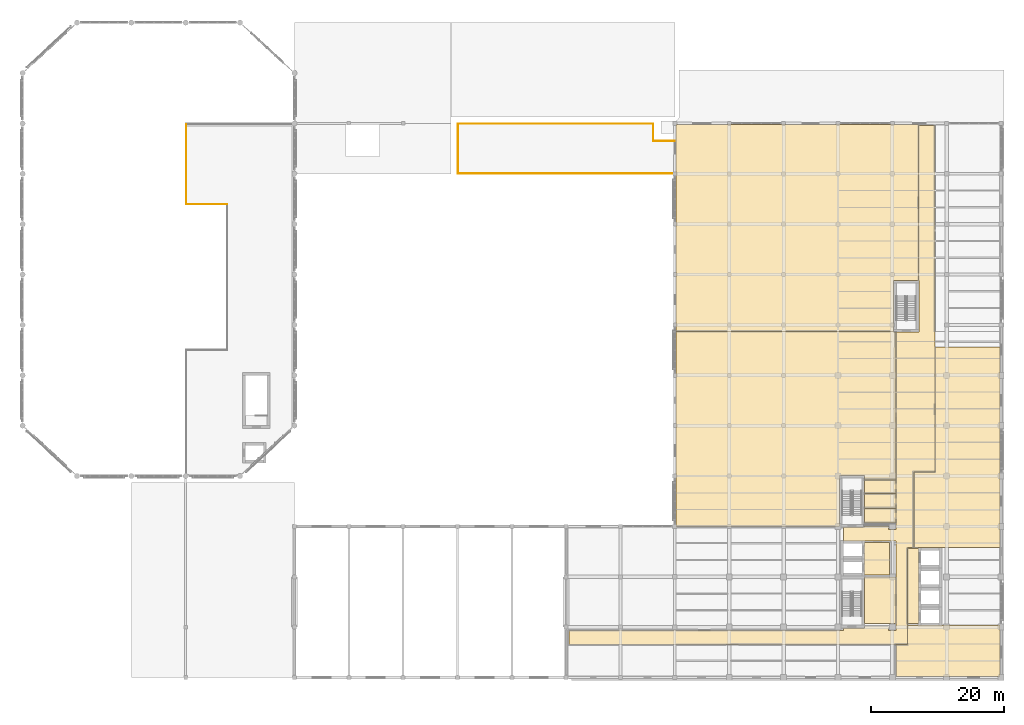
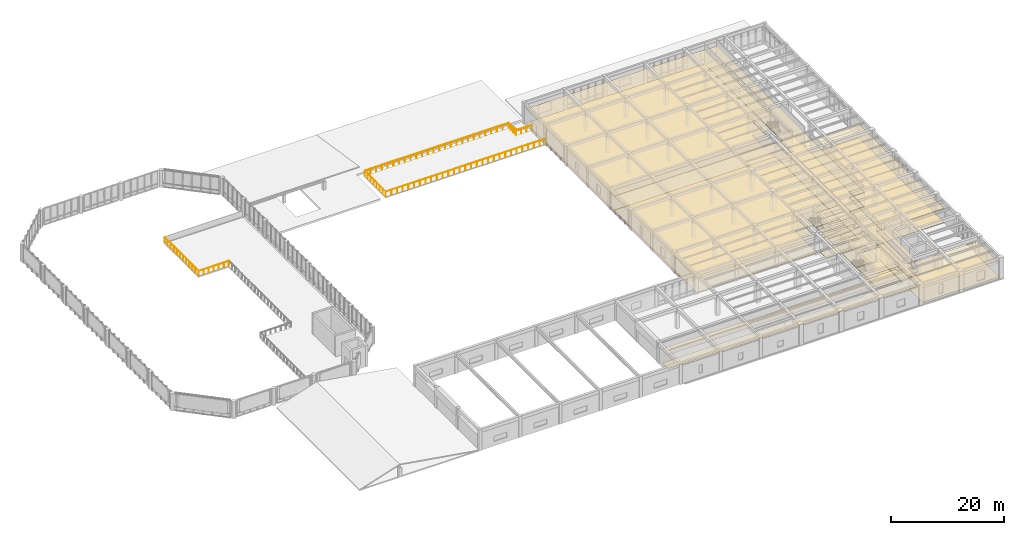
# One storey, part 48 of 49: 22 coverings, 7 railings.
"""IFC4 building model written with IfcOpenShell, lengths in metres."""

from ifc_helpers import new_model, si_unit, direction, frame, origin, origin_2d, place, context, subcontext, project, spatial, polyline, circle, outline, extrude, material, layer, layer_set, type_object, element, save


model = new_model("IFC4")

# Units and contexts
model_context = context("Model", 3, precision=1e-05, world=origin(), true_north=direction((0.0, 1.0)))
body_context = subcontext(model_context, "Body", "Model", "MODEL_VIEW")
ifc_project = project(units=[si_unit("LENGTHUNIT", "METRE"), si_unit("AREAUNIT", "SQUARE_METRE"), si_unit("VOLUMEUNIT", "CUBIC_METRE"), si_unit("PLANEANGLEUNIT", "RADIAN"), si_unit("MASSUNIT", "GRAM", prefix="KILO")], contexts=[model_context])

# Site, building, storey
site_placement = place(None, origin())
site = spatial("IfcSite", under=ifc_project, at=site_placement, CompositionType="ELEMENT")
building_placement = place(site_placement, origin())
building = spatial("IfcBuilding", under=site, at=building_placement, Name="Qandaris Square Conservatory and Botanical Centre", CompositionType="ELEMENT")
storey_placement = place(building_placement, frame((0.0, 0.0, 10.199951171875)))
storey = spatial("IfcBuildingStorey", under=building, at=storey_placement, Name="L02", CompositionType="ELEMENT", Elevation=10.199951171875)

# Railings
ifc_material_1 = material(Name="Tempered Low-E Glass", Category="glass")
railing_type_1 = type_object("IfcRailingType", Name="Conservatory Skywalk Glazed Balustrade 1150mm", PredefinedType="BALUSTRADE", material=ifc_material_1)
railing_1_placement = place(storey_placement, frame((47.080078125, 88.0, 0.0)))
element("IfcRailing", 1, at=railing_1_placement, inside=storey, type_object=railing_type_1, Name="Conservatory L02 Overlook Balustrade 4", PredefinedType="BALUSTRADE", context=body_context, shape_type="SweptSolid", body=[
    extrude(circle(Radius=0.02392578125, at=origin_2d()), frame((0.0, 0.0, 1.1259765625), z_axis=(-1.0, 0.0, 0.0), x_axis=(0.0, -1.0, 0.0)), (0.0, 0.0, 1.0), 6.2001953125),
    extrude(circle(Radius=0.02099609375, at=origin_2d()), origin(), (0.0, 0.0, 1.0), 1.101806640625),
    extrude(circle(Radius=0.02099609375, at=origin_2d()), frame((-1.033447265625, 0.0, 0.0)), (0.0, 0.0, 1.0), 1.101806640625),
    extrude(circle(Radius=0.02099609375, at=origin_2d()), frame((-2.066650390625, 0.0, 0.0)), (0.0, 0.0, 1.0), 1.101806640625),
    extrude(circle(Radius=0.02099609375, at=origin_2d()), frame((-3.10009765625, 0.0, 0.0)), (0.0, 0.0, 1.0), 1.101806640625),
    extrude(circle(Radius=0.02099609375, at=origin_2d()), frame((-4.133544921875, 0.0, 0.0)), (0.0, 0.0, 1.0), 1.101806640625),
    extrude(circle(Radius=0.02099609375, at=origin_2d()), frame((-5.166748046875, 0.0, 0.0)), (0.0, 0.0, 1.0), 1.101806640625),
    extrude(circle(Radius=0.02099609375, at=origin_2d()), frame((-6.2001953125, 0.0, 0.0)), (0.0, 0.0, 1.0), 1.101806640625),
])
railing_2_placement = place(storey_placement, frame((40.8798828125, 88.0, 0.0)))
element("IfcRailing", 2, at=railing_2_placement, inside=storey, type_object=railing_type_1, Name="Conservatory L02 Overlook Balustrade 5", PredefinedType="BALUSTRADE", context=body_context, shape_type="SweptSolid", body=[
    extrude(circle(Radius=0.02392578125, at=origin_2d()), frame((0.0, 0.0, 1.1259765625), z_axis=(0.0, 1.0, 0.0), x_axis=(-1.0, 0.0, 0.0)), (0.0, 0.0, 1.0), 12.050048828125),
    extrude(circle(Radius=0.02099609375, at=origin_2d()), origin(), (0.0, 0.0, 1.0), 1.101806640625),
    extrude(circle(Radius=0.02099609375, at=origin_2d()), frame((0.0, 1.095458984375, 0.0)), (0.0, 0.0, 1.0), 1.101806640625),
    extrude(circle(Radius=0.02099609375, at=origin_2d()), frame((0.0, 2.19091796875, 0.0)), (0.0, 0.0, 1.0), 1.101806640625),
    extrude(circle(Radius=0.02099609375, at=origin_2d()), frame((0.0, 3.286376953125, 0.0)), (0.0, 0.0, 1.0), 1.101806640625),
    extrude(circle(Radius=0.02099609375, at=origin_2d()), frame((0.0, 4.3818359375, 0.0)), (0.0, 0.0, 1.0), 1.101806640625),
    extrude(circle(Radius=0.02099609375, at=origin_2d()), frame((0.0, 5.477294921875, 0.0)), (0.0, 0.0, 1.0), 1.101806640625),
    extrude(circle(Radius=0.02099609375, at=origin_2d()), frame((0.0, 6.57275390625, 0.0)), (0.0, 0.0, 1.0), 1.101806640625),
    extrude(circle(Radius=0.02099609375, at=origin_2d()), frame((0.0, 7.668212890625, 0.0)), (0.0, 0.0, 1.0), 1.101806640625),
    extrude(circle(Radius=0.02099609375, at=origin_2d()), frame((0.0, 8.763671875, 0.0)), (0.0, 0.0, 1.0), 1.101806640625),
    extrude(circle(Radius=0.02099609375, at=origin_2d()), frame((0.0, 9.859130859375, 0.0)), (0.0, 0.0, 1.0), 1.101806640625),
    extrude(circle(Radius=0.02099609375, at=origin_2d()), frame((0.0, 10.95458984375, 0.0)), (0.0, 0.0, 1.0), 1.101806640625),
    extrude(circle(Radius=0.02099609375, at=origin_2d()), frame((0.0, 12.050048828125, 0.0)), (0.0, 0.0, 1.0), 1.101806640625),
])

# Coverings
ifc_material_2 = material(Name="Honed Qatari Limestone", Category="masonry")
ifc_layer_1 = layer(ifc_material_2, 0.030029296875)
ifc_layer_set_1 = layer_set([ifc_layer_1], Name="Honed Qatari Limestone")
covering_type_1 = type_object("IfcCoveringType", Name="Honed Qatari Limestone Concourse Paving", PredefinedType="FLOORING", material=ifc_layer_set_1)
covering_1_placement = place(storey_placement, origin())
element("IfcCovering", 3, at=covering_1_placement, inside=storey, type_object=covering_type_1, Name="Firefighting Lift Lobby L02 Flooring", PredefinedType="FLOORING", context=body_context, shape_type="SweptSolid", body=[
    extrude(outline(polyline([(143.14990234375, 36.949951171875), (147.0, 36.949951171875), (147.0, 32.050048828125), (143.14990234375, 32.050048828125), (143.14990234375, 36.949951171875)])), origin(), (0.0, 0.0, 1.0), 0.030029296875),
])
covering_2_placement = place(storey_placement, origin())
element("IfcCovering", 4, at=covering_2_placement, inside=storey, type_object=covering_type_1, Name="Passenger Lift Lobby L02 Flooring", PredefinedType="FLOORING", context=body_context, shape_type="SweptSolid", body=[
    extrude(outline(polyline([(149.699951171875, 36.050048828125), (151.449951171875, 36.050048828125), (151.449951171875, 24.75), (149.699951171875, 24.75), (149.699951171875, 36.050048828125)])), origin(), (0.0, 0.0, 1.0), 0.030029296875),
])
covering_3_placement = place(storey_placement, origin())
element("IfcCovering", 5, at=covering_3_placement, inside=storey, type_object=covering_type_1, Name="Main Circulation Corridor L02 Flooring", PredefinedType="FLOORING", context=body_context, shape_type="SweptSolid", body=[
    extrude(outline(polyline([(140.0, 24.10009765625), (143.199951171875, 24.10009765625), (143.199951171875, 24.280029296875), (146.85009765625, 24.280029296875), (146.85009765625, 23.699951171875), (147.949951171875, 23.699951171875), (147.949951171875, 24.75), (147.949951171875, 31.75), (147.949951171875, 36.199951171875), (147.949951171875, 37.199951171875), (140.0, 37.199951171875), (140.0, 38.89990234375), (140.0, 39.300048828125), (143.199951171875, 39.300048828125), (143.199951171875, 39.47998046875), (146.85009765625, 39.47998046875), (146.85009765625, 38.89990234375), (147.949951171875, 38.89990234375), (147.949951171875, 39.89990234375), (147.949951171875, 42.1201171875), (147.949951171875, 44.340087890625), (147.949951171875, 46.419921875), (147.949951171875, 66.5), (147.949951171875, 68.699951171875), (151.39990234375, 68.699951171875), (151.39990234375, 76.5), (151.35009765625, 76.5), (151.35009765625, 99.89990234375), (153.85009765625, 99.89990234375), (153.85009765625, 68.85009765625), (153.85009765625, 66.5), (153.85009765625, 47.60009765625), (150.64990234375, 47.60009765625), (150.64990234375, 36.199951171875), (149.699951171875, 36.199951171875), (149.699951171875, 36.050048828125), (149.699951171875, 24.75), (149.699951171875, 23.699951171875), (149.699951171875, 21.550048828125), (147.949951171875, 21.550048828125), (98.60009765625, 21.550048828125), (98.60009765625, 23.699951171875), (140.0, 23.699951171875), (140.0, 24.10009765625)])), origin(), (0.0, 0.0, 1.0), 0.030029296875),
])
covering_4_placement = place(storey_placement, origin())
element("IfcCovering", 6, at=covering_4_placement, inside=storey, type_object=covering_type_1, Name="Herbarium Curation Office Suite Flooring", PredefinedType="FLOORING", context=body_context, shape_type="SweptSolid", body=[
    extrude(outline(polyline([(147.949951171875, 21.550048828125), (149.699951171875, 21.550048828125), (149.699951171875, 23.699951171875), (149.699951171875, 24.5), (163.6201171875, 24.5), (163.6201171875, 16.780029296875), (147.949951171875, 16.780029296875), (147.949951171875, 21.550048828125)])), origin(), (0.0, 0.0, 1.0), 0.030029296875),
])
ifc_material_3 = material(Name="Gypsum Plasterboard", Category="gypsum")
ifc_layer_2 = layer(ifc_material_3, 0.02490234375)
ifc_layer_set_2 = layer_set([ifc_layer_2], Name="Gypsum Plasterboard")
covering_type_2 = type_object("IfcCoveringType", Name="Perforated Acoustic Lab Ceiling Tile", PredefinedType="CEILING", material=ifc_layer_set_2)
covering_5_placement = place(storey_placement, frame((0.0, 0.0, 3.050048828125)))
element("IfcCovering", 7, at=covering_5_placement, inside=storey, type_object=covering_type_2, Name="Firefighting Lift Lobby L02 Ceiling", PredefinedType="CEILING", context=body_context, shape_type="SweptSolid", body=[
    extrude(outline(polyline([(143.14990234375, 36.949951171875), (147.0, 36.949951171875), (147.0, 32.050048828125), (143.14990234375, 32.050048828125), (143.14990234375, 36.949951171875)])), origin(), (0.0, 0.0, 1.0), 0.02490234375),
])
covering_6_placement = place(storey_placement, frame((0.0, 0.0, 3.050048828125)))
element("IfcCovering", 8, at=covering_6_placement, inside=storey, type_object=covering_type_2, Name="Electrical and Telecom Riser Room L02 Ceiling", PredefinedType="CEILING", context=body_context, shape_type="SweptSolid", body=[
    extrude(outline(polyline([(147.949951171875, 31.75), (147.949951171875, 24.75), (143.199951171875, 24.75), (143.199951171875, 31.75), (147.949951171875, 31.75)])), origin(), (0.0, 0.0, 1.0), 0.02490234375),
])
covering_7_placement = place(storey_placement, frame((0.0, 0.0, 3.050048828125)))
element("IfcCovering", 9, at=covering_7_placement, inside=storey, type_object=covering_type_2, Name="Passenger Lift Lobby L02 Ceiling", PredefinedType="CEILING", context=body_context, shape_type="SweptSolid", body=[
    extrude(outline(polyline([(149.699951171875, 36.050048828125), (151.449951171875, 36.050048828125), (151.449951171875, 24.75), (149.699951171875, 24.75), (149.699951171875, 36.050048828125)])), origin(), (0.0, 0.0, 1.0), 0.02490234375),
])
covering_8_placement = place(storey_placement, frame((0.0, 0.0, 3.050048828125)))
element("IfcCovering", 10, at=covering_8_placement, inside=storey, type_object=covering_type_2, Name="Accessible Toilet L02 Ceiling", PredefinedType="CEILING", context=body_context, shape_type="SweptSolid", body=[
    extrude(outline(polyline([(147.949951171875, 42.1201171875), (147.949951171875, 39.89990234375), (143.199951171875, 39.89990234375), (143.199951171875, 42.1201171875), (147.949951171875, 42.1201171875)])), origin(), (0.0, 0.0, 1.0), 0.02490234375),
])
covering_9_placement = place(storey_placement, frame((0.0, 0.0, 3.050048828125)))
element("IfcCovering", 11, at=covering_9_placement, inside=storey, type_object=covering_type_2, Name="Staff Male Toilet L02 Ceiling", PredefinedType="CEILING", context=body_context, shape_type="SweptSolid", body=[
    extrude(outline(polyline([(147.949951171875, 44.340087890625), (147.949951171875, 42.1201171875), (143.199951171875, 42.1201171875), (143.199951171875, 44.340087890625), (147.949951171875, 44.340087890625)])), origin(), (0.0, 0.0, 1.0), 0.02490234375),
])
covering_10_placement = place(storey_placement, frame((0.0, 0.0, 3.050048828125)))
element("IfcCovering", 12, at=covering_10_placement, inside=storey, type_object=covering_type_2, Name="Staff Female Toilet L02 Ceiling", PredefinedType="CEILING", context=body_context, shape_type="SweptSolid", body=[
    extrude(outline(polyline([(147.949951171875, 46.419921875), (147.949951171875, 44.340087890625), (143.199951171875, 44.340087890625), (143.199951171875, 46.419921875), (147.949951171875, 46.419921875)])), origin(), (0.0, 0.0, 1.0), 0.02490234375),
])
covering_11_placement = place(storey_placement, frame((0.0, 0.0, 3.050048828125)))
element("IfcCovering", 13, at=covering_11_placement, inside=storey, type_object=covering_type_2, Name="Main Circulation Corridor L02 Ceiling", PredefinedType="CEILING", context=body_context, shape_type="SweptSolid", body=[
    extrude(outline(polyline([(140.0, 24.10009765625), (143.199951171875, 24.10009765625), (143.199951171875, 24.280029296875), (146.85009765625, 24.280029296875), (146.85009765625, 23.699951171875), (147.949951171875, 23.699951171875), (147.949951171875, 24.75), (147.949951171875, 31.75), (147.949951171875, 36.199951171875), (147.949951171875, 37.199951171875), (140.0, 37.199951171875), (140.0, 38.89990234375), (140.0, 39.300048828125), (143.199951171875, 39.300048828125), (143.199951171875, 39.47998046875), (146.85009765625, 39.47998046875), (146.85009765625, 38.89990234375), (147.949951171875, 38.89990234375), (147.949951171875, 39.89990234375), (147.949951171875, 42.1201171875), (147.949951171875, 44.340087890625), (147.949951171875, 46.419921875), (147.949951171875, 66.5), (147.949951171875, 68.699951171875), (151.39990234375, 68.699951171875), (151.39990234375, 76.5), (151.35009765625, 76.5), (151.35009765625, 99.89990234375), (153.85009765625, 99.89990234375), (153.85009765625, 68.85009765625), (153.85009765625, 66.5), (153.85009765625, 47.60009765625), (150.64990234375, 47.60009765625), (150.64990234375, 36.199951171875), (149.699951171875, 36.199951171875), (149.699951171875, 36.050048828125), (149.699951171875, 24.75), (149.699951171875, 23.699951171875), (149.699951171875, 21.550048828125), (147.949951171875, 21.550048828125), (98.60009765625, 21.550048828125), (98.60009765625, 23.699951171875), (140.0, 23.699951171875), (140.0, 24.10009765625)])), origin(), (0.0, 0.0, 1.0), 0.02490234375),
])
covering_12_placement = place(storey_placement, frame((0.0, 0.0, 3.050048828125)))
element("IfcCovering", 14, at=covering_12_placement, inside=storey, type_object=covering_type_2, Name="Plant Taxonomy Wet Laboratory Ceiling", PredefinedType="CEILING", context=body_context, shape_type="SweptSolid", body=[
    extrude(outline(polyline([(150.64990234375, 47.60009765625), (153.85009765625, 47.60009765625), (153.85009765625, 66.5), (163.6201171875, 66.5), (163.6201171875, 36.25), (150.64990234375, 36.25), (150.64990234375, 47.60009765625)])), origin(), (0.0, 0.0, 1.0), 0.02490234375),
])
covering_13_placement = place(storey_placement, frame((0.0, 0.0, 3.050048828125)))
element("IfcCovering", 15, at=covering_13_placement, inside=storey, type_object=covering_type_2, Name="Microscopy and Palynology Laboratory Ceiling", PredefinedType="CEILING", context=body_context, shape_type="SweptSolid", body=[
    extrude(outline(polyline([(147.949951171875, 66.5), (147.949951171875, 46.419921875), (143.199951171875, 46.419921875), (143.199951171875, 47.10009765625), (139.39990234375, 47.10009765625), (139.39990234375, 39.39990234375), (114.780029296875, 39.39990234375), (114.780029296875, 68.800048828125), (147.60009765625, 68.800048828125), (147.60009765625, 68.699951171875), (147.949951171875, 68.699951171875), (147.949951171875, 66.5)])), origin(), (0.0, 0.0, 1.0), 0.02490234375),
])
covering_14_placement = place(storey_placement, frame((0.0, 0.0, 3.050048828125)))
element("IfcCovering", 16, at=covering_14_placement, inside=storey, type_object=covering_type_2, Name="Cryptogamic Herbarium Collection Ceiling", PredefinedType="CEILING", context=body_context, shape_type="SweptSolid", body=[
    extrude(outline(polyline([(151.35009765625, 99.89990234375), (151.35009765625, 76.5), (147.60009765625, 76.5), (147.60009765625, 68.800048828125), (114.780029296875, 68.800048828125), (114.780029296875, 100.02001953125), (151.35009765625, 100.02001953125), (151.35009765625, 99.89990234375)])), origin(), (0.0, 0.0, 1.0), 0.02490234375),
])
ifc_material_4 = material(Name="Epoxy Resin Screed", Category="finish")
ifc_layer_3 = layer(ifc_material_4, 0.014892578125)
ifc_layer_set_3 = layer_set([ifc_layer_3], Name="Epoxy Resin Screed")
covering_type_3 = type_object("IfcCoveringType", Name="Seamless Epoxy Laboratory Flooring", PredefinedType="FLOORING", material=ifc_layer_set_3)
covering_15_placement = place(storey_placement, origin())
element("IfcCovering", 17, at=covering_15_placement, inside=storey, type_object=covering_type_3, Name="Electrical and Telecom Riser Room L02 Flooring", PredefinedType="FLOORING", context=body_context, shape_type="SweptSolid", body=[
    extrude(outline(polyline([(147.949951171875, 31.75), (147.949951171875, 24.75), (143.199951171875, 24.75), (143.199951171875, 31.75), (147.949951171875, 31.75)])), origin(), (0.0, 0.0, 1.0), 0.01513671875),
])
covering_16_placement = place(storey_placement, origin())
element("IfcCovering", 18, at=covering_16_placement, inside=storey, type_object=covering_type_3, Name="Accessible Toilet L02 Flooring", PredefinedType="FLOORING", context=body_context, shape_type="SweptSolid", body=[
    extrude(outline(polyline([(147.949951171875, 42.1201171875), (147.949951171875, 39.89990234375), (143.199951171875, 39.89990234375), (143.199951171875, 42.1201171875), (147.949951171875, 42.1201171875)])), origin(), (0.0, 0.0, 1.0), 0.01513671875),
])
covering_17_placement = place(storey_placement, origin())
element("IfcCovering", 19, at=covering_17_placement, inside=storey, type_object=covering_type_3, Name="Staff Male Toilet L02 Flooring", PredefinedType="FLOORING", context=body_context, shape_type="SweptSolid", body=[
    extrude(outline(polyline([(147.949951171875, 44.340087890625), (147.949951171875, 42.1201171875), (143.199951171875, 42.1201171875), (143.199951171875, 44.340087890625), (147.949951171875, 44.340087890625)])), origin(), (0.0, 0.0, 1.0), 0.01513671875),
])
covering_18_placement = place(storey_placement, origin())
element("IfcCovering", 20, at=covering_18_placement, inside=storey, type_object=covering_type_3, Name="Staff Female Toilet L02 Flooring", PredefinedType="FLOORING", context=body_context, shape_type="SweptSolid", body=[
    extrude(outline(polyline([(147.949951171875, 46.419921875), (147.949951171875, 44.340087890625), (143.199951171875, 44.340087890625), (143.199951171875, 46.419921875), (147.949951171875, 46.419921875)])), origin(), (0.0, 0.0, 1.0), 0.01513671875),
])
covering_19_placement = place(storey_placement, origin())
element("IfcCovering", 21, at=covering_19_placement, inside=storey, type_object=covering_type_3, Name="Plant Taxonomy Wet Laboratory Flooring", PredefinedType="FLOORING", context=body_context, shape_type="SweptSolid", body=[
    extrude(outline(polyline([(150.64990234375, 47.60009765625), (153.85009765625, 47.60009765625), (153.85009765625, 66.5), (163.6201171875, 66.5), (163.6201171875, 36.25), (150.64990234375, 36.25), (150.64990234375, 47.60009765625)])), origin(), (0.0, 0.0, 1.0), 0.01513671875),
])
covering_20_placement = place(storey_placement, origin())
element("IfcCovering", 22, at=covering_20_placement, inside=storey, type_object=covering_type_3, Name="Microscopy and Palynology Laboratory Flooring", PredefinedType="FLOORING", context=body_context, shape_type="SweptSolid", body=[
    extrude(outline(polyline([(147.949951171875, 66.5), (147.949951171875, 46.419921875), (143.199951171875, 46.419921875), (143.199951171875, 47.10009765625), (139.39990234375, 47.10009765625), (139.39990234375, 39.39990234375), (114.780029296875, 39.39990234375), (114.780029296875, 68.800048828125), (147.60009765625, 68.800048828125), (147.60009765625, 68.699951171875), (147.949951171875, 68.699951171875), (147.949951171875, 66.5)])), origin(), (0.0, 0.0, 1.0), 0.01513671875),
])
covering_21_placement = place(storey_placement, origin())
element("IfcCovering", 23, at=covering_21_placement, inside=storey, type_object=covering_type_3, Name="Cryptogamic Herbarium Collection Flooring", PredefinedType="FLOORING", context=body_context, shape_type="SweptSolid", body=[
    extrude(outline(polyline([(151.35009765625, 99.89990234375), (151.35009765625, 76.5), (147.60009765625, 76.5), (147.60009765625, 68.800048828125), (114.780029296875, 68.800048828125), (114.780029296875, 100.02001953125), (151.35009765625, 100.02001953125), (151.35009765625, 99.89990234375)])), origin(), (0.0, 0.0, 1.0), 0.01513671875),
])
ifc_material_5 = material(Name="Engineered Oak Timber", Category="wood")
ifc_layer_4 = layer(ifc_material_5, 0.0400390625)
ifc_layer_set_4 = layer_set([ifc_layer_4], Name="Engineered Oak Timber")
covering_type_4 = type_object("IfcCoveringType", Name="Slatted Oak Acoustic Gallery Ceiling", PredefinedType="CEILING", material=ifc_layer_set_4)
covering_22_placement = place(storey_placement, frame((0.0, 0.0, 3.050048828125)))
element("IfcCovering", 24, at=covering_22_placement, inside=storey, type_object=covering_type_4, Name="Herbarium Curation Office Suite Ceiling", PredefinedType="CEILING", context=body_context, shape_type="SweptSolid", body=[
    extrude(outline(polyline([(147.949951171875, 21.550048828125), (149.699951171875, 21.550048828125), (149.699951171875, 23.699951171875), (149.699951171875, 24.5), (163.6201171875, 24.5), (163.6201171875, 16.780029296875), (147.949951171875, 16.780029296875), (147.949951171875, 21.550048828125)])), origin(), (0.0, 0.0, 1.0), 0.0400390625),
])

# Railings
ifc_material_6 = material(Name="Weathering Bronze Alloy", Category="metal")
railing_type_2 = type_object("IfcRailingType", Name="Terrace Perimeter Prairie Guardrail 1150mm", PredefinedType="GUARDRAIL", material=ifc_material_6)
railing_3_placement = place(storey_placement, frame((114.5400390625, 92.659912109375, 0.0)))
element("IfcRailing", 25, at=railing_3_placement, inside=storey, type_object=railing_type_2, Name="Planted Botanical Terrace L02 Guardrail 1", PredefinedType="GUARDRAIL", context=body_context, shape_type="SweptSolid", body=[
    extrude(circle(Radius=0.02392578125, at=origin_2d()), frame((0.0, 0.0, 1.1259765625), z_axis=(-1.0, 0.0, 0.0), x_axis=(0.0, -1.0, 0.0)), (0.0, 0.0, 1.0), 32.679931640625),
    extrude(circle(Radius=0.02099609375, at=origin_2d()), origin(), (0.0, 0.0, 1.0), 1.101806640625),
    extrude(circle(Radius=0.02099609375, at=origin_2d()), frame((-1.167236328125, 0.0, 0.0)), (0.0, 0.0, 1.0), 1.101806640625),
    extrude(circle(Radius=0.02099609375, at=origin_2d()), frame((-2.334228515625, 0.0, 0.0)), (0.0, 0.0, 1.0), 1.101806640625),
    extrude(circle(Radius=0.02099609375, at=origin_2d()), frame((-3.50146484375, 0.0, 0.0)), (0.0, 0.0, 1.0), 1.101806640625),
    extrude(circle(Radius=0.02099609375, at=origin_2d()), frame((-4.66845703125, 0.0, 0.0)), (0.0, 0.0, 1.0), 1.101806640625),
    extrude(circle(Radius=0.02099609375, at=origin_2d()), frame((-5.835693359375, 0.0, 0.0)), (0.0, 0.0, 1.0), 1.101806640625),
    extrude(circle(Radius=0.02099609375, at=origin_2d()), frame((-7.0029296875, 0.0, 0.0)), (0.0, 0.0, 1.0), 1.101806640625),
    extrude(circle(Radius=0.02099609375, at=origin_2d()), frame((-8.169921875, 0.0, 0.0)), (0.0, 0.0, 1.0), 1.101806640625),
    extrude(circle(Radius=0.02099609375, at=origin_2d()), frame((-9.337158203125, 0.0, 0.0)), (0.0, 0.0, 1.0), 1.101806640625),
    extrude(circle(Radius=0.02099609375, at=origin_2d()), frame((-10.504150390625, 0.0, 0.0)), (0.0, 0.0, 1.0), 1.101806640625),
    extrude(circle(Radius=0.02099609375, at=origin_2d()), frame((-11.67138671875, 0.0, 0.0)), (0.0, 0.0, 1.0), 1.101806640625),
    extrude(circle(Radius=0.02099609375, at=origin_2d()), frame((-12.838623046875, 0.0, 0.0)), (0.0, 0.0, 1.0), 1.101806640625),
    extrude(circle(Radius=0.02099609375, at=origin_2d()), frame((-14.005615234375, 0.0, 0.0)), (0.0, 0.0, 1.0), 1.101806640625),
    extrude(circle(Radius=0.02099609375, at=origin_2d()), frame((-15.1728515625, 0.0, 0.0)), (0.0, 0.0, 1.0), 1.101806640625),
    extrude(circle(Radius=0.02099609375, at=origin_2d()), frame((-16.33984375, 0.0, 0.0)), (0.0, 0.0, 1.0), 1.101806640625),
    extrude(circle(Radius=0.02099609375, at=origin_2d()), frame((-17.507080078125, 0.0, 0.0)), (0.0, 0.0, 1.0), 1.101806640625),
    extrude(circle(Radius=0.02099609375, at=origin_2d()), frame((-18.67431640625, 0.0, 0.0)), (0.0, 0.0, 1.0), 1.101806640625),
    extrude(circle(Radius=0.02099609375, at=origin_2d()), frame((-19.84130859375, 0.0, 0.0)), (0.0, 0.0, 1.0), 1.101806640625),
    extrude(circle(Radius=0.02099609375, at=origin_2d()), frame((-21.008544921875, 0.0, 0.0)), (0.0, 0.0, 1.0), 1.101806640625),
    extrude(circle(Radius=0.02099609375, at=origin_2d()), frame((-22.17578125, 0.0, 0.0)), (0.0, 0.0, 1.0), 1.101806640625),
    extrude(circle(Radius=0.02099609375, at=origin_2d()), frame((-23.3427734375, 0.0, 0.0)), (0.0, 0.0, 1.0), 1.101806640625),
    extrude(circle(Radius=0.02099609375, at=origin_2d()), frame((-24.510009765625, 0.0, 0.0)), (0.0, 0.0, 1.0), 1.101806640625),
    extrude(circle(Radius=0.02099609375, at=origin_2d()), frame((-25.677001953125, 0.0, 0.0)), (0.0, 0.0, 1.0), 1.101806640625),
    extrude(circle(Radius=0.02099609375, at=origin_2d()), frame((-26.84423828125, 0.0, 0.0)), (0.0, 0.0, 1.0), 1.101806640625),
    extrude(circle(Radius=0.02099609375, at=origin_2d()), frame((-28.011474609375, 0.0, 0.0)), (0.0, 0.0, 1.0), 1.101806640625),
    extrude(circle(Radius=0.02099609375, at=origin_2d()), frame((-29.178466796875, 0.0, 0.0)), (0.0, 0.0, 1.0), 1.101806640625),
    extrude(circle(Radius=0.02099609375, at=origin_2d()), frame((-30.345703125, 0.0, 0.0)), (0.0, 0.0, 1.0), 1.101806640625),
    extrude(circle(Radius=0.02099609375, at=origin_2d()), frame((-31.5126953125, 0.0, 0.0)), (0.0, 0.0, 1.0), 1.101806640625),
    extrude(circle(Radius=0.02099609375, at=origin_2d()), frame((-32.679931640625, 0.0, 0.0)), (0.0, 0.0, 1.0), 1.101806640625),
])
railing_4_placement = place(storey_placement, frame((81.860107421875, 92.659912109375, 0.0)))
element("IfcRailing", 26, at=railing_4_placement, inside=storey, type_object=railing_type_2, Name="Planted Botanical Terrace L02 Guardrail 2", PredefinedType="GUARDRAIL", context=body_context, shape_type="SweptSolid", body=[
    extrude(circle(Radius=0.02392578125, at=origin_2d()), frame((0.0, 0.0, 1.1259765625), z_axis=(0.0, 1.0, 0.0), x_axis=(-1.0, 0.0, 0.0)), (0.0, 0.0, 1.0), 7.47998046875),
    extrude(circle(Radius=0.02099609375, at=origin_2d()), origin(), (0.0, 0.0, 1.0), 1.101806640625),
    extrude(circle(Radius=0.02099609375, at=origin_2d()), frame((0.0, 1.068603515625, 0.0)), (0.0, 0.0, 1.0), 1.101806640625),
    extrude(circle(Radius=0.02099609375, at=origin_2d()), frame((0.0, 2.13720703125, 0.0)), (0.0, 0.0, 1.0), 1.101806640625),
    extrude(circle(Radius=0.02099609375, at=origin_2d()), frame((0.0, 3.205810546875, 0.0)), (0.0, 0.0, 1.0), 1.101806640625),
    extrude(circle(Radius=0.02099609375, at=origin_2d()), frame((0.0, 4.274169921875, 0.0)), (0.0, 0.0, 1.0), 1.101806640625),
    extrude(circle(Radius=0.02099609375, at=origin_2d()), frame((0.0, 5.3427734375, 0.0)), (0.0, 0.0, 1.0), 1.101806640625),
    extrude(circle(Radius=0.02099609375, at=origin_2d()), frame((0.0, 6.411376953125, 0.0)), (0.0, 0.0, 1.0), 1.101806640625),
    extrude(circle(Radius=0.02099609375, at=origin_2d()), frame((0.0, 7.47998046875, 0.0)), (0.0, 0.0, 1.0), 1.101806640625),
])
railing_5_placement = place(storey_placement, frame((81.860107421875, 100.139892578125, 0.0)))
element("IfcRailing", 27, at=railing_5_placement, inside=storey, type_object=railing_type_2, Name="Planted Botanical Terrace L02 Guardrail 3", PredefinedType="GUARDRAIL", context=body_context, shape_type="SweptSolid", body=[
    extrude(circle(Radius=0.02392578125, at=origin_2d()), frame((0.0, 0.0, 1.1259765625), z_axis=(1.0, 0.0, 0.0), x_axis=(0.0, 1.0, 0.0)), (0.0, 0.0, 1.0), 29.47998046875),
    extrude(circle(Radius=0.02099609375, at=origin_2d()), origin(), (0.0, 0.0, 1.0), 1.101806640625),
    extrude(circle(Radius=0.02099609375, at=origin_2d()), frame((1.17919921875, 0.0, 0.0)), (0.0, 0.0, 1.0), 1.101806640625),
    extrude(circle(Radius=0.02099609375, at=origin_2d()), frame((2.3583984375, 0.0, 0.0)), (0.0, 0.0, 1.0), 1.101806640625),
    extrude(circle(Radius=0.02099609375, at=origin_2d()), frame((3.53759765625, 0.0, 0.0)), (0.0, 0.0, 1.0), 1.101806640625),
    extrude(circle(Radius=0.02099609375, at=origin_2d()), frame((4.716796875, 0.0, 0.0)), (0.0, 0.0, 1.0), 1.101806640625),
    extrude(circle(Radius=0.02099609375, at=origin_2d()), frame((5.89599609375, 0.0, 0.0)), (0.0, 0.0, 1.0), 1.101806640625),
    extrude(circle(Radius=0.02099609375, at=origin_2d()), frame((7.0751953125, 0.0, 0.0)), (0.0, 0.0, 1.0), 1.101806640625),
    extrude(circle(Radius=0.02099609375, at=origin_2d()), frame((8.25439453125, 0.0, 0.0)), (0.0, 0.0, 1.0), 1.101806640625),
    extrude(circle(Radius=0.02099609375, at=origin_2d()), frame((9.43359375, 0.0, 0.0)), (0.0, 0.0, 1.0), 1.101806640625),
    extrude(circle(Radius=0.02099609375, at=origin_2d()), frame((10.61279296875, 0.0, 0.0)), (0.0, 0.0, 1.0), 1.101806640625),
    extrude(circle(Radius=0.02099609375, at=origin_2d()), frame((11.7919921875, 0.0, 0.0)), (0.0, 0.0, 1.0), 1.101806640625),
    extrude(circle(Radius=0.02099609375, at=origin_2d()), frame((12.97119140625, 0.0, 0.0)), (0.0, 0.0, 1.0), 1.101806640625),
    extrude(circle(Radius=0.02099609375, at=origin_2d()), frame((14.150390625, 0.0, 0.0)), (0.0, 0.0, 1.0), 1.101806640625),
    extrude(circle(Radius=0.02099609375, at=origin_2d()), frame((15.32958984375, 0.0, 0.0)), (0.0, 0.0, 1.0), 1.101806640625),
    extrude(circle(Radius=0.02099609375, at=origin_2d()), frame((16.5087890625, 0.0, 0.0)), (0.0, 0.0, 1.0), 1.101806640625),
    extrude(circle(Radius=0.02099609375, at=origin_2d()), frame((17.68798828125, 0.0, 0.0)), (0.0, 0.0, 1.0), 1.101806640625),
    extrude(circle(Radius=0.02099609375, at=origin_2d()), frame((18.8671875, 0.0, 0.0)), (0.0, 0.0, 1.0), 1.101806640625),
    extrude(circle(Radius=0.02099609375, at=origin_2d()), frame((20.04638671875, 0.0, 0.0)), (0.0, 0.0, 1.0), 1.101806640625),
    extrude(circle(Radius=0.02099609375, at=origin_2d()), frame((21.2255859375, 0.0, 0.0)), (0.0, 0.0, 1.0), 1.101806640625),
    extrude(circle(Radius=0.02099609375, at=origin_2d()), frame((22.40478515625, 0.0, 0.0)), (0.0, 0.0, 1.0), 1.101806640625),
    extrude(circle(Radius=0.02099609375, at=origin_2d()), frame((23.583984375, 0.0, 0.0)), (0.0, 0.0, 1.0), 1.101806640625),
    extrude(circle(Radius=0.02099609375, at=origin_2d()), frame((24.76318359375, 0.0, 0.0)), (0.0, 0.0, 1.0), 1.101806640625),
    extrude(circle(Radius=0.02099609375, at=origin_2d()), frame((25.9423828125, 0.0, 0.0)), (0.0, 0.0, 1.0), 1.101806640625),
    extrude(circle(Radius=0.02099609375, at=origin_2d()), frame((27.12158203125, 0.0, 0.0)), (0.0, 0.0, 1.0), 1.101806640625),
    extrude(circle(Radius=0.02099609375, at=origin_2d()), frame((28.30078125, 0.0, 0.0)), (0.0, 0.0, 1.0), 1.101806640625),
    extrude(circle(Radius=0.02099609375, at=origin_2d()), frame((29.47998046875, 0.0, 0.0)), (0.0, 0.0, 1.0), 1.101806640625),
])
railing_6_placement = place(storey_placement, frame((111.340087890625, 100.139892578125, 0.0)))
element("IfcRailing", 28, at=railing_6_placement, inside=storey, type_object=railing_type_2, Name="Planted Botanical Terrace L02 Guardrail 4", PredefinedType="GUARDRAIL", context=body_context, shape_type="SweptSolid", body=[
    extrude(circle(Radius=0.02392578125, at=origin_2d()), frame((0.0, 0.0, 1.1259765625), z_axis=(0.0, -1.0, 0.0), x_axis=(1.0, 0.0, 0.0)), (0.0, 0.0, 1.0), 2.599853515625),
    extrude(circle(Radius=0.02099609375, at=origin_2d()), origin(), (0.0, 0.0, 1.0), 1.101806640625),
    extrude(circle(Radius=0.02099609375, at=origin_2d()), frame((0.0, -0.86669921875, 0.0)), (0.0, 0.0, 1.0), 1.101806640625),
    extrude(circle(Radius=0.02099609375, at=origin_2d()), frame((0.0, -1.733154296875, 0.0)), (0.0, 0.0, 1.0), 1.101806640625),
    extrude(circle(Radius=0.02099609375, at=origin_2d()), frame((0.0, -2.599853515625, 0.0)), (0.0, 0.0, 1.0), 1.101806640625),
])
railing_7_placement = place(storey_placement, frame((111.340087890625, 97.5400390625, 0.0)))
element("IfcRailing", 29, at=railing_7_placement, inside=storey, type_object=railing_type_2, Name="Planted Botanical Terrace L02 Guardrail 5", PredefinedType="GUARDRAIL", context=body_context, shape_type="SweptSolid", body=[
    extrude(circle(Radius=0.02392578125, at=origin_2d()), frame((0.0, 0.0, 1.1259765625), z_axis=(1.0, 0.0, 0.0), x_axis=(0.0, 1.0, 0.0)), (0.0, 0.0, 1.0), 3.199951171875),
    extrude(circle(Radius=0.02099609375, at=origin_2d()), origin(), (0.0, 0.0, 1.0), 1.101806640625),
    extrude(circle(Radius=0.02099609375, at=origin_2d()), frame((1.066650390625, 0.0, 0.0)), (0.0, 0.0, 1.0), 1.101806640625),
    extrude(circle(Radius=0.02099609375, at=origin_2d()), frame((2.13330078125, 0.0, 0.0)), (0.0, 0.0, 1.0), 1.101806640625),
    extrude(circle(Radius=0.02099609375, at=origin_2d()), frame((3.199951171875, 0.0, 0.0)), (0.0, 0.0, 1.0), 1.101806640625),
])

save(model, "model.ifc")
